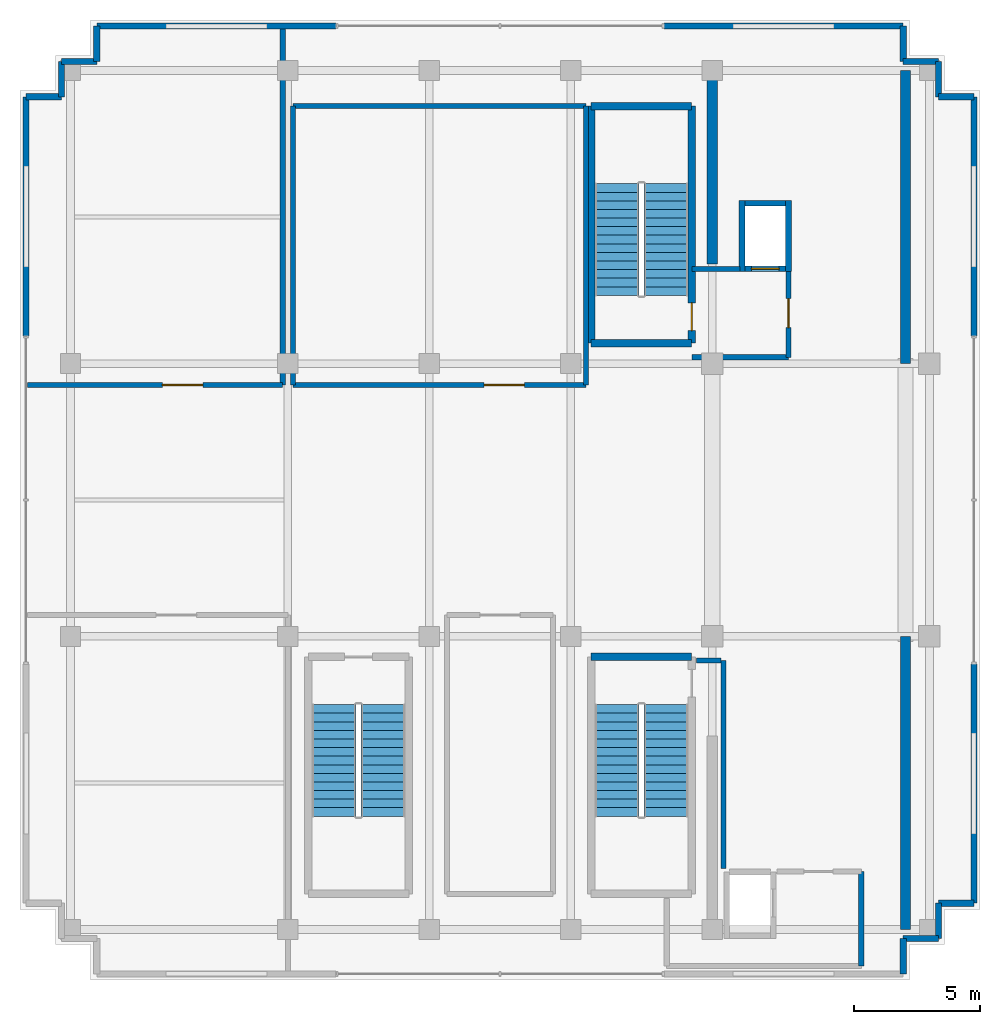
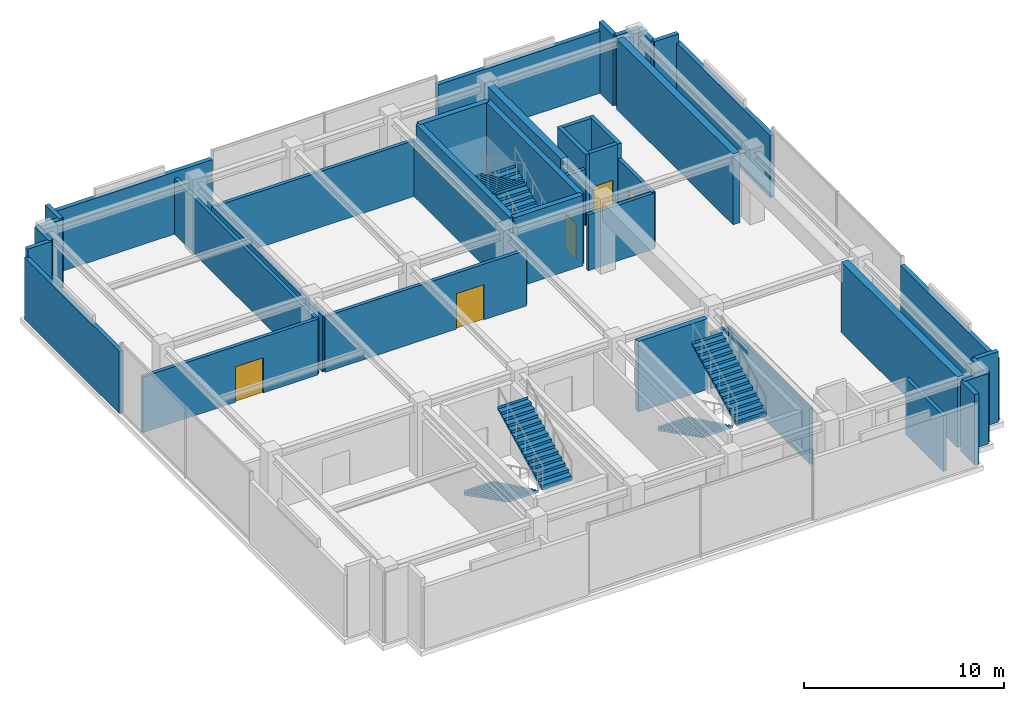
# One storey, part 15 of 18: 41 walls, 6 stair flights, 5 doors, 5 openings, 3 elements without a shape of their own.
"""IFC4 building model written with IfcOpenShell, lengths in metres."""

from ifc_helpers import new_model, si_unit, direction, frame, frame_2d, origin, place, context, subcontext, project, spatial, polyline, rectangle, outline, extrude, source, transform, mapped, material, layer, layer_set, type_object, element, fill, aggregate, save


model = new_model("IFC4")

# Units and contexts
model_context = context("Model", 3, precision=1e-05, world=origin(), true_north=direction((0.0, 1.0)))
body_context = subcontext(model_context, "Body", "Model", "MODEL_VIEW")
ifc_project = project(units=[si_unit("LENGTHUNIT", "METRE"), si_unit("AREAUNIT", "SQUARE_METRE"), si_unit("VOLUMEUNIT", "CUBIC_METRE"), si_unit("PLANEANGLEUNIT", "RADIAN"), si_unit("MASSUNIT", "GRAM", prefix="KILO")], contexts=[model_context])

# Site, building, storey
site_placement = place(None, origin())
site = spatial("IfcSite", under=ifc_project, at=site_placement, CompositionType="ELEMENT")
building_placement = place(site_placement, origin())
building = spatial("IfcBuilding", under=site, at=building_placement, Name="Nahalor Promenade Grand Hotel", CompositionType="ELEMENT")
storey_placement = place(building_placement, frame((0.0, 0.0, 361.64990234375)))
storey = spatial("IfcBuildingStorey", under=building, at=storey_placement, Name="L92", CompositionType="ELEMENT", Elevation=361.64990234375)

# Walls
ifc_material_1 = material(Name="Concrete B-50 (C40/50)", Category="concrete")
ifc_layer_1 = layer(ifc_material_1, 0.39990234375)
ifc_layer_set_1 = layer_set([ifc_layer_1], Name="Concrete B-50 (C40/50)")
wall_type_1 = type_object("IfcWallType", Name="Wall-CoreShear-400", PredefinedType="SHEAR", material=ifc_layer_set_1)
shared_shape_1 = source(origin(), body_context, "Body", "SweptSolid", [
    extrude(rectangle(XDim=7.64990234375, YDim=0.39990234375, at=frame_2d((3.824951171875, 0.0))), origin(), (0.0, 0.0, 1.0), 4.300048828125),
])
wall_1_placement = place(storey_placement, frame((8.39990234375, 9.35009765625, 0.0), z_axis=(0.0, 0.0, 1.0), x_axis=(0.0, 1.0, 0.0)))
element("IfcWall", 1, at=wall_1_placement, inside=storey, type_object=wall_type_1, Name="CWALL-L92-NW", PredefinedType="SHEAR", context=body_context, shape_type="MappedRepresentation", body=[
    mapped(shared_shape_1, transform((0.0, 0.0, 0.0), scale=1.0)),
])
shared_shape_2 = source(origin(), body_context, "Body", "SweptSolid", [
    extrude(rectangle(XDim=11.60009765625, YDim=0.39990234375, at=frame_2d((5.800048828125, 0.0))), origin(), (0.0, 0.0, 1.0), 4.300048828125),
])
for number, where, z_axis, x_axis, name in (
    (2, (16.050048828125, 5.39990234375, 0.0), (0.0, 0.0, 1.0), (0.0, 1.0, 0.0), "CWALL-L92-NE"),
    (3, (16.050048828125, -17.0, 0.0), (0.0, 0.0, 1.0), (0.0, 1.0, 0.0), "CWALL-L92-SE"),
):
    element("IfcWall", number, at=place(storey_placement, frame(where, z_axis=z_axis, x_axis=x_axis)), inside=storey, type_object=wall_type_1, Name=name, PredefinedType="SHEAR", context=body_context, shape_type="MappedRepresentation", body=[
        mapped(shared_shape_2, transform((0.0, 0.0, 0.0), scale=1.0)),
    ])
ifc_layer_2 = layer(ifc_material_1, 0.300048828125)
ifc_layer_set_2 = layer_set([ifc_layer_2], Name="Concrete B-50 (C40/50)")
wall_type_2 = type_object("IfcWallType", Name="Wall-ShaftShear-300", PredefinedType="SHEAR", material=ifc_layer_set_2)
shared_shape_3 = source(origin(), body_context, "Body", "SweptSolid", [
    extrude(rectangle(XDim=3.97998046875, YDim=0.300048828125, at=frame_2d((1.989990234375, 0.0))), origin(), (0.0, 0.0, 1.0), 4.300048828125),
])
for number, where, z_axis, x_axis, name in (
    (4, (3.610107421875, 6.2099609375, 0.0), (0.0, 0.0, 1.0), (1.0, 0.0, 0.0), "L92 Exit Stair ST1 Shaft Wall S"),
    (5, (3.610107421875, 15.590087890625, 0.0), (0.0, 0.0, 1.0), (1.0, 0.0, 0.0), "L92 Exit Stair ST1 Shaft Wall N"),
    (6, (3.610107421875, -6.2099609375, 0.0), (0.0, 0.0, 1.0), (1.0, 0.0, 0.0), "L92 Exit Stair ST2 Shaft Wall N"),
):
    element("IfcWall", number, at=place(storey_placement, frame(where, z_axis=z_axis, x_axis=x_axis)), inside=storey, type_object=wall_type_2, Name=name, PredefinedType="SHEAR", context=body_context, shape_type="MappedRepresentation", body=[
        mapped(shared_shape_3, transform((0.0, 0.0, 0.0), scale=1.0)),
    ])
shared_shape_4 = source(origin(), body_context, "Body", "SweptSolid", [
    extrude(rectangle(XDim=9.380126953125, YDim=0.300048828125, at=frame_2d((4.68994140625, 0.0))), origin(), (0.0, 0.0, 1.0), 4.300048828125),
])
wall_2_placement = place(storey_placement, frame((3.610107421875, 6.2099609375, 0.0), z_axis=(0.0, 0.0, 1.0), x_axis=(0.0, 1.0, 0.0)))
element("IfcWall", 7, at=wall_2_placement, inside=storey, type_object=wall_type_2, Name="L92 Exit Stair ST1 Shaft Wall W", PredefinedType="SHEAR", context=body_context, shape_type="MappedRepresentation", body=[
    mapped(shared_shape_4, transform((0.0, 0.0, 0.0), scale=1.0)),
])

# Wall, opening, door
wall_3_placement = place(storey_placement, frame((7.590087890625, 6.2099609375, 0.0), z_axis=(0.0, 0.0, 1.0), x_axis=(0.0, 1.0, 0.0)))
wall_3 = element("IfcWall", 8, at=wall_3_placement, inside=storey, type_object=wall_type_2, Name="L92 Exit Stair ST1 Shaft Wall E", PredefinedType="SHEAR", context=body_context, shape_type="MappedRepresentation", body=[
    mapped(shared_shape_4, transform((0.0, 0.0, 0.0), scale=1.0)),
])
opening_1_placement = place(wall_3_placement, frame((0.489990234375, 0.0, 0.0)))
opening_1 = element("IfcOpeningElement", 9, at=opening_1_placement, cuts=wall_3, Name="Opening D-ST1", PredefinedType="OPENING", context=body_context, shape_type="SweptSolid", body=[
    extrude(rectangle(XDim=1.10009765625, YDim=2.14990234375, at=frame_2d((0.550048828125, 1.074951171875))), frame((0.0, 0.159912109375, 0.0), z_axis=(0.0, -1.0, 0.0), x_axis=(1.0, 0.0, 0.0)), (0.0, 0.0, 1.0), 0.320068359375),
])
ifc_material_2 = material(Name="Steel S355JR", Category="steel")
door_type_1 = type_object("IfcDoorType", Name="Door-StairFire-1100", OperationType="NOTDEFINED", PredefinedType="DOOR", material=ifc_material_2)
shared_shape_5 = source(origin(), body_context, "Body", "SweptSolid", [
    extrude(rectangle(XDim=1.10009765625, YDim=2.14990234375, at=frame_2d((0.550048828125, 1.074951171875))), frame((0.0, 0.02490234375, 0.0), z_axis=(0.0, -1.0, 0.0), x_axis=(1.0, 0.0, 0.0)), (0.0, 0.0, 1.0), 0.050048828125),
])
door_1_placement = place(opening_1_placement, origin())
door_1 = element("IfcDoor", 10, at=door_1_placement, inside=storey, type_object=door_type_1, Name="DR-STAIR-ST1-L92", OperationType="SINGLE_SWING_LEFT", OverallHeight=2.14990234375, OverallWidth=1.10009765625, PredefinedType="DOOR", context=body_context, shape_type="MappedRepresentation", body=[
    mapped(shared_shape_5, transform((0.0, 0.0, 0.0), scale=1.0)),
])
fill(opening_1, door_1)

# Walls
ifc_layer_3 = layer(ifc_material_1, 0.219970703125)
ifc_layer_set_3 = layer_set([ifc_layer_3], Name="Concrete B-50 (C40/50)")
wall_type_3 = type_object("IfcWallType", Name="Wall-LiftShaft-220", PredefinedType="SHEAR", material=ifc_layer_set_3)
shared_shape_6 = source(origin(), body_context, "Body", "SweptSolid", [
    extrude(rectangle(XDim=2.820068359375, YDim=0.219970703125, at=frame_2d((1.41015625, 0.0))), origin(), (0.0, 0.0, 1.0), 4.300048828125),
])
for number, where, z_axis, x_axis, name in (
    (11, (9.580078125, 9.0400390625, 0.0), (0.0, 0.0, 1.0), (0.0, 1.0, 0.0), "L92 Lift FL1 Hoistway Wall W"),
    (12, (11.419921875, 9.0400390625, 0.0), (0.0, 0.0, 1.0), (0.0, 1.0, 0.0), "L92 Lift FL1 Hoistway Wall E"),
):
    element("IfcWall", number, at=place(storey_placement, frame(where, z_axis=z_axis, x_axis=x_axis)), inside=storey, type_object=wall_type_3, Name=name, PredefinedType="SHEAR", context=body_context, shape_type="MappedRepresentation", body=[
        mapped(shared_shape_6, transform((0.0, 0.0, 0.0), scale=1.0)),
    ])

# Wall, opening, door
shared_shape_7 = source(origin(), body_context, "Body", "SweptSolid", [
    extrude(rectangle(XDim=1.6201171875, YDim=0.219970703125, at=frame_2d((0.81005859375, 0.0))), origin(), (0.0, 0.0, 1.0), 4.300048828125),
])
wall_4_placement = place(storey_placement, frame((9.68994140625, 9.14990234375, 0.0), z_axis=(0.0, 0.0, 1.0), x_axis=(1.0, 0.0, 0.0)))
wall_4 = element("IfcWall", 13, at=wall_4_placement, inside=storey, type_object=wall_type_3, Name="L92 Lift FL1 Hoistway Wall S", PredefinedType="SHEAR", context=body_context, shape_type="MappedRepresentation", body=[
    mapped(shared_shape_7, transform((0.0, 0.0, 0.0), scale=1.0)),
])
opening_2_placement = place(wall_4_placement, frame((0.260009765625, 0.0, 0.0)))
opening_2 = element("IfcOpeningElement", 14, at=opening_2_placement, cuts=wall_4, Name="Opening LD-02", PredefinedType="OPENING", context=body_context, shape_type="SweptSolid", body=[
    extrude(rectangle(XDim=1.10009765625, YDim=2.199951171875, at=frame_2d((0.550048828125, 1.10009765625))), frame((0.0, 0.119873046875, 0.0), z_axis=(0.0, -1.0, 0.0), x_axis=(1.0, 0.0, 0.0)), (0.0, 0.0, 1.0), 0.239990234375),
])
door_type_2 = type_object("IfcDoorType", Name="Door-LiftFF-1100", OperationType="DOUBLE_DOOR_SLIDING", PredefinedType="DOOR", material=ifc_material_2)
shared_shape_8 = source(origin(), body_context, "Body", "SweptSolid", [
    extrude(rectangle(XDim=1.10009765625, YDim=2.199951171875, at=frame_2d((0.550048828125, 1.10009765625))), frame((0.0, 0.02490234375, 0.0), z_axis=(0.0, -1.0, 0.0), x_axis=(1.0, 0.0, 0.0)), (0.0, 0.0, 1.0), 0.050048828125),
])
door_2_placement = place(opening_2_placement, frame((1.10009765625, 0.0, 0.0), z_axis=(0.0, 0.0, 1.0), x_axis=(-1.0, 0.0, 0.0)))
door_2 = element("IfcDoor", 15, at=door_2_placement, inside=storey, type_object=door_type_2, Name="DR-LIFT-FL1-L92", OperationType="DOUBLE_DOOR_SLIDING", OverallHeight=2.199951171875, OverallWidth=1.10009765625, PredefinedType="DOOR", context=body_context, shape_type="MappedRepresentation", body=[
    mapped(shared_shape_8, transform((0.0, 0.0, 0.0), scale=1.0)),
])
fill(opening_2, door_2)

# Walls
wall_5_placement = place(storey_placement, frame((9.68994140625, 11.75, 0.0), z_axis=(0.0, 0.0, 1.0), x_axis=(1.0, 0.0, 0.0)))
element("IfcWall", 16, at=wall_5_placement, inside=storey, type_object=wall_type_3, Name="L92 Lift FL1 Hoistway Wall N", PredefinedType="SHEAR", context=body_context, shape_type="MappedRepresentation", body=[
    mapped(shared_shape_7, transform((0.0, 0.0, 0.0), scale=1.0)),
])
ifc_material_3 = material(Name="Concrete B-40 (C32/40)", Category="concrete")
ifc_layer_4 = layer(ifc_material_3, 0.25)
ifc_layer_set_4 = layer_set([ifc_layer_4], Name="Concrete B-40 (C32/40)")
wall_type_4 = type_object("IfcWallType", Name="Wall-BronzePier-250", PredefinedType="STANDARD", material=ifc_layer_set_4)
shared_shape_9 = source(origin(), body_context, "Body", "SweptSolid", [
    extrude(rectangle(XDim=1.39990234375, YDim=0.25, at=frame_2d((0.699951171875, 0.0))), origin(), (0.0, 0.0, 1.0), 4.300048828125),
])
for number, where, z_axis, x_axis, name in (
    (17, (15.9599609375, -18.760009765625, 0.0), (0.0, 0.0, 1.0), (0.0, 1.0, 0.0), "W-L92-SR-01"),
    (18, (17.360107421875, -15.9599609375, 0.0), (0.0, 0.0, 1.0), (1.0, 0.0, 0.0), "W-L92-SR-04"),
    (19, (17.360107421875, 15.9599609375, 0.0), (0.0, 0.0, 1.0), (1.0, 0.0, 0.0), "W-L92-SR-05"),
    (20, (15.9599609375, 17.360107421875, 0.0), (0.0, 0.0, 1.0), (0.0, 1.0, 0.0), "W-L92-SR-08"),
    (21, (-15.9599609375, 17.360107421875, 0.0), (0.0, 0.0, 1.0), (0.0, 1.0, 0.0), "W-L92-SR-09"),
    (22, (-18.760009765625, 15.9599609375, 0.0), (0.0, 0.0, 1.0), (1.0, 0.0, 0.0), "W-L92-SR-12"),
):
    element("IfcWall", number, at=place(storey_placement, frame(where, z_axis=z_axis, x_axis=x_axis)), inside=storey, type_object=wall_type_4, Name=name, PredefinedType="STANDARD", context=body_context, shape_type="MappedRepresentation", body=[
        mapped(shared_shape_9, transform((0.0, 0.0, 0.0), scale=1.0)),
    ])
shared_shape_10 = source(origin(), body_context, "Body", "SweptSolid", [
    extrude(rectangle(XDim=1.400146484375, YDim=0.25, at=frame_2d((0.7001953125, 0.0))), origin(), (0.0, 0.0, 1.0), 4.300048828125),
])
for number, where, z_axis, x_axis, name in (
    (23, (15.9599609375, -17.360107421875, 0.0), (0.0, 0.0, 1.0), (1.0, 0.0, 0.0), "W-L92-SR-02"),
    (24, (17.360107421875, -17.360107421875, 0.0), (0.0, 0.0, 1.0), (0.0, 1.0, 0.0), "W-L92-SR-03"),
    (25, (17.360107421875, 15.9599609375, 0.0), (0.0, 0.0, 1.0), (0.0, 1.0, 0.0), "W-L92-SR-06"),
    (26, (15.9599609375, 17.360107421875, 0.0), (0.0, 0.0, 1.0), (1.0, 0.0, 0.0), "W-L92-SR-07"),
    (27, (-17.360107421875, 17.360107421875, 0.0), (0.0, 0.0, 1.0), (1.0, 0.0, 0.0), "W-L92-SR-10"),
    (28, (-17.360107421875, 15.9599609375, 0.0), (0.0, 0.0, 1.0), (0.0, 1.0, 0.0), "W-L92-SR-11"),
):
    element("IfcWall", number, at=place(storey_placement, frame(where, z_axis=z_axis, x_axis=x_axis)), inside=storey, type_object=wall_type_4, Name=name, PredefinedType="STANDARD", context=body_context, shape_type="MappedRepresentation", body=[
        mapped(shared_shape_10, transform((0.0, 0.0, 0.0), scale=1.0)),
    ])
shared_shape_11 = source(origin(), body_context, "Body", "SweptSolid", [
    extrude(rectangle(XDim=9.4599609375, YDim=0.25, at=frame_2d((4.72998046875, 0.0))), origin(), (0.0, 0.0, 1.0), 3.780029296875),
])
for number, where, z_axis, x_axis, name in (
    (29, (-15.9599609375, 18.760009765625, 0.0), (0.0, 0.0, 1.0), (1.0, 0.0, 0.0), "W-L92-PL-NL"),
    (30, (6.5, 18.760009765625, 0.0), (0.0, 0.0, 1.0), (1.0, 0.0, 0.0), "W-L92-PL-NR"),
    (31, (-18.760009765625, 6.5, 0.0), (0.0, 0.0, 1.0), (0.0, 1.0, 0.0), "W-L92-PL-WR"),
    (32, (18.760009765625, -15.9599609375, 0.0), (0.0, 0.0, 1.0), (0.0, 1.0, 0.0), "W-L92-PL-EL"),
    (33, (18.760009765625, 6.5, 0.0), (0.0, 0.0, 1.0), (0.0, 1.0, 0.0), "W-L92-PL-ER"),
):
    element("IfcWall", number, at=place(storey_placement, frame(where, z_axis=z_axis, x_axis=x_axis)), inside=storey, type_object=wall_type_4, Name=name, PredefinedType="STANDARD", context=body_context, shape_type="MappedRepresentation", body=[
        mapped(shared_shape_11, transform((0.0, 0.0, 0.0), scale=1.0)),
    ])
ifc_layer_5 = layer(ifc_material_3, 0.199951171875)
ifc_layer_set_5 = layer_set([ifc_layer_5], Name="Concrete B-40 (C32/40)")
wall_type_5 = type_object("IfcWallType", Name="Wall-PartFire-200", PredefinedType="PARTITIONING", material=ifc_layer_set_5)
shared_shape_12 = source(origin(), body_context, "Body", "SweptSolid", [
    extrude(rectangle(XDim=3.81982421875, YDim=0.199951171875, at=frame_2d((1.909912109375, 0.0))), origin(), (0.0, 0.0, 1.0), 3.400146484375),
])
wall_6_placement = place(storey_placement, frame((7.60009765625, 5.64990234375, 0.0), z_axis=(0.0, 0.0, 1.0), x_axis=(1.0, 0.0, 0.0)))
element("IfcWall", 34, at=wall_6_placement, inside=storey, type_object=wall_type_5, Name="W-L92-FF1-S", PredefinedType="PARTITIONING", context=body_context, shape_type="MappedRepresentation", body=[
    mapped(shared_shape_12, transform((0.0, 0.0, 0.0), scale=1.0)),
])
shared_shape_13 = source(origin(), body_context, "Body", "SweptSolid", [
    extrude(rectangle(XDim=1.89990234375, YDim=0.199951171875, at=frame_2d((0.949951171875, 0.0))), origin(), (0.0, 0.0, 1.0), 3.400146484375),
])
wall_7_placement = place(storey_placement, frame((7.60009765625, 9.14990234375, 0.0), z_axis=(0.0, 0.0, 1.0), x_axis=(1.0, 0.0, 0.0)))
element("IfcWall", 35, at=wall_7_placement, inside=storey, type_object=wall_type_5, Name="W-L92-FF1-N", PredefinedType="PARTITIONING", context=body_context, shape_type="MappedRepresentation", body=[
    mapped(shared_shape_13, transform((0.0, 0.0, 0.0), scale=1.0)),
])

# Wall, opening, door
shared_shape_14 = source(origin(), body_context, "Body", "SweptSolid", [
    extrude(rectangle(XDim=3.5, YDim=0.199951171875, at=frame_2d((1.75, 0.0))), origin(), (0.0, 0.0, 1.0), 3.400146484375),
])
wall_8_placement = place(storey_placement, frame((11.419921875, 5.64990234375, 0.0), z_axis=(0.0, 0.0, 1.0), x_axis=(0.0, 1.0, 0.0)))
wall_8 = element("IfcWall", 36, at=wall_8_placement, inside=storey, type_object=wall_type_5, Name="W-L92-FF1-E", PredefinedType="PARTITIONING", context=body_context, shape_type="MappedRepresentation", body=[
    mapped(shared_shape_14, transform((0.0, 0.0, 0.0), scale=1.0)),
])
opening_3_placement = place(wall_8_placement, frame((1.175048828125, 0.0, 0.0)))
opening_3 = element("IfcOpeningElement", 37, at=opening_3_placement, cuts=wall_8, Name="Opening D-FF1", PredefinedType="OPENING", context=body_context, shape_type="SweptSolid", body=[
    extrude(rectangle(XDim=1.14990234375, YDim=2.14990234375, at=frame_2d((0.574951171875, 1.074951171875))), frame((0.0, 0.10986328125, 0.0), z_axis=(0.0, -1.0, 0.0), x_axis=(1.0, 0.0, 0.0)), (0.0, 0.0, 1.0), 0.219970703125),
])
door_type_3 = type_object("IfcDoorType", Name="Door-FFLobby-1150", OperationType="NOTDEFINED", PredefinedType="DOOR", material=ifc_material_2)
shared_shape_15 = source(origin(), body_context, "Body", "SweptSolid", [
    extrude(rectangle(XDim=1.14990234375, YDim=2.14990234375, at=frame_2d((0.574951171875, 1.074951171875))), frame((0.0, 0.02490234375, 0.0), z_axis=(0.0, -1.0, 0.0), x_axis=(1.0, 0.0, 0.0)), (0.0, 0.0, 1.0), 0.050048828125),
])
door_3_placement = place(opening_3_placement, frame((1.14990234375, 0.0, 0.0), z_axis=(0.0, 0.0, 1.0), x_axis=(-1.0, 0.0, 0.0)))
door_3 = element("IfcDoor", 38, at=door_3_placement, inside=storey, type_object=door_type_3, Name="DR-L92-FFL1", OperationType="SINGLE_SWING_LEFT", OverallHeight=2.14990234375, OverallWidth=1.14990234375, PredefinedType="DOOR", context=body_context, shape_type="MappedRepresentation", body=[
    mapped(shared_shape_15, transform((0.0, 0.0, 0.0), scale=1.0)),
])
fill(opening_3, door_3)

# Walls
shared_shape_16 = source(origin(), body_context, "Body", "SweptSolid", [
    extrude(rectangle(XDim=0.969970703125, YDim=0.199951171875, at=frame_2d((0.48486328125, 0.0))), origin(), (0.0, 0.0, 1.0), 3.400146484375),
])
wall_9_placement = place(storey_placement, frame((7.77001953125, -6.35009765625, 0.0), z_axis=(0.0, 0.0, 1.0), x_axis=(1.0, 0.0, 0.0)))
element("IfcWall", 39, at=wall_9_placement, inside=storey, type_object=wall_type_5, Name="W-L92-FF2-N2", PredefinedType="PARTITIONING", context=body_context, shape_type="MappedRepresentation", body=[
    mapped(shared_shape_16, transform((0.0, 0.0, 0.0), scale=1.0)),
])
shared_shape_17 = source(origin(), body_context, "Body", "SweptSolid", [
    extrude(rectangle(XDim=8.22998046875, YDim=0.199951171875, at=frame_2d((4.114990234375, 0.0))), origin(), (0.0, 0.0, 1.0), 3.400146484375),
])
wall_10_placement = place(storey_placement, frame((8.840087890625, -14.580078125, 0.0), z_axis=(0.0, 0.0, 1.0), x_axis=(0.0, 1.0, 0.0)))
element("IfcWall", 40, at=wall_10_placement, inside=storey, type_object=wall_type_5, Name="W-L92-FF2-M", PredefinedType="PARTITIONING", context=body_context, shape_type="MappedRepresentation", body=[
    mapped(shared_shape_17, transform((0.0, 0.0, 0.0), scale=1.0)),
])
shared_shape_18 = source(origin(), body_context, "Body", "SweptSolid", [
    extrude(rectangle(XDim=3.75, YDim=0.199951171875, at=frame_2d((1.875, 0.0))), origin(), (0.0, 0.0, 1.0), 3.400146484375),
])
wall_11_placement = place(storey_placement, frame((14.300048828125, -18.449951171875, 0.0), z_axis=(0.0, 0.0, 1.0), x_axis=(0.0, 1.0, 0.0)))
element("IfcWall", 41, at=wall_11_placement, inside=storey, type_object=wall_type_5, Name="W-L92-FF2-E", PredefinedType="PARTITIONING", context=body_context, shape_type="MappedRepresentation", body=[
    mapped(shared_shape_18, transform((0.0, 0.0, 0.0), scale=1.0)),
])

# Wall, opening, door
shared_shape_19 = source(origin(), body_context, "Body", "SweptSolid", [
    extrude(rectangle(XDim=10.099853515625, YDim=0.199951171875, at=frame_2d((5.0498046875, 0.0))), origin(), (0.0, 0.0, 1.0), 3.400146484375),
])
wall_12_placement = place(storey_placement, frame((-18.699951171875, 4.550048828125, 0.0), z_axis=(0.0, 0.0, 1.0), x_axis=(1.0, 0.0, 0.0)))
wall_12 = element("IfcWall", 42, at=wall_12_placement, inside=storey, type_object=wall_type_5, Name="W-L92-MP1-S", PredefinedType="PARTITIONING", context=body_context, shape_type="MappedRepresentation", body=[
    mapped(shared_shape_19, transform((0.0, 0.0, 0.0), scale=1.0)),
])
opening_4_placement = place(wall_12_placement, frame((5.337890625, 0.0, 0.0)))
opening_4 = element("IfcOpeningElement", 43, at=opening_4_placement, cuts=wall_12, Name="Opening D-06", PredefinedType="OPENING", context=body_context, shape_type="SweptSolid", body=[
    extrude(rectangle(XDim=1.60009765625, YDim=2.14990234375, at=frame_2d((0.800048828125, 1.074951171875))), frame((0.0, 0.10986328125, 0.0), z_axis=(0.0, -1.0, 0.0), x_axis=(1.0, 0.0, 0.0)), (0.0, 0.0, 1.0), 0.219970703125),
])
door_type_4 = type_object("IfcDoorType", Name="Door-PlantDouble-1600", OperationType="DOUBLE_DOOR_SINGLE_SWING", PredefinedType="DOOR", material=ifc_material_2)
shared_shape_20 = source(origin(), body_context, "Body", "SweptSolid", [
    extrude(rectangle(XDim=1.60009765625, YDim=2.14990234375, at=frame_2d((0.800048828125, 1.074951171875))), frame((0.0, 0.02490234375, 0.0), z_axis=(0.0, -1.0, 0.0), x_axis=(1.0, 0.0, 0.0)), (0.0, 0.0, 1.0), 0.050048828125),
])
door_4_placement = place(opening_4_placement, origin())
door_4 = element("IfcDoor", 44, at=door_4_placement, inside=storey, type_object=door_type_4, Name="DR-L92-MP1", OperationType="DOUBLE_DOOR_SINGLE_SWING", OverallHeight=2.14990234375, OverallWidth=1.60009765625, PredefinedType="DOOR", context=body_context, shape_type="MappedRepresentation", body=[
    mapped(shared_shape_20, transform((0.0, 0.0, 0.0), scale=1.0)),
])
fill(opening_4, door_4)

# Wall
shared_shape_21 = source(origin(), body_context, "Body", "SweptSolid", [
    extrude(rectangle(XDim=14.14990234375, YDim=0.199951171875, at=frame_2d((7.074951171875, 0.0))), origin(), (0.0, 0.0, 1.0), 3.400146484375),
])
wall_13_placement = place(storey_placement, frame((-8.60009765625, 4.550048828125, 0.0), z_axis=(0.0, 0.0, 1.0), x_axis=(0.0, 1.0, 0.0)))
element("IfcWall", 45, at=wall_13_placement, inside=storey, type_object=wall_type_5, Name="W-L92-MP1-E", PredefinedType="PARTITIONING", context=body_context, shape_type="MappedRepresentation", body=[
    mapped(shared_shape_21, transform((0.0, 0.0, 0.0), scale=1.0)),
])

# Wall, opening, door
shared_shape_22 = source(origin(), body_context, "Body", "SweptSolid", [
    extrude(rectangle(XDim=11.599853515625, YDim=0.199951171875, at=frame_2d((5.7998046875, 0.0))), origin(), (0.0, 0.0, 1.0), 3.400146484375),
])
wall_14_placement = place(storey_placement, frame((-8.199951171875, 4.550048828125, 0.0), z_axis=(0.0, 0.0, 1.0), x_axis=(1.0, 0.0, 0.0)))
wall_14 = element("IfcWall", 46, at=wall_14_placement, inside=storey, type_object=wall_type_5, Name="W-L92-MP2-S", PredefinedType="PARTITIONING", context=body_context, shape_type="MappedRepresentation", body=[
    mapped(shared_shape_22, transform((0.0, 0.0, 0.0), scale=1.0)),
])
opening_5_placement = place(wall_14_placement, frame((7.56689453125, 0.0, 0.0)))
opening_5 = element("IfcOpeningElement", 47, at=opening_5_placement, cuts=wall_14, Name="Opening D-06", PredefinedType="OPENING", context=body_context, shape_type="SweptSolid", body=[
    extrude(rectangle(XDim=1.60009765625, YDim=2.14990234375, at=frame_2d((0.800048828125, 1.074951171875))), frame((0.0, 0.10986328125, 0.0), z_axis=(0.0, -1.0, 0.0), x_axis=(1.0, 0.0, 0.0)), (0.0, 0.0, 1.0), 0.219970703125),
])
door_5_placement = place(opening_5_placement, origin())
door_5 = element("IfcDoor", 48, at=door_5_placement, inside=storey, type_object=door_type_4, Name="DR-L92-MP2", OperationType="DOUBLE_DOOR_SINGLE_SWING", OverallHeight=2.14990234375, OverallWidth=1.60009765625, PredefinedType="DOOR", context=body_context, shape_type="MappedRepresentation", body=[
    mapped(shared_shape_20, transform((0.0, 0.0, 0.0), scale=1.0)),
])
fill(opening_5, door_5)

# Walls
wall_15_placement = place(storey_placement, frame((-8.199951171875, 15.60009765625, 0.0), z_axis=(0.0, 0.0, 1.0), x_axis=(1.0, 0.0, 0.0)))
element("IfcWall", 49, at=wall_15_placement, inside=storey, type_object=wall_type_5, Name="W-L92-MP2-N", PredefinedType="PARTITIONING", context=body_context, shape_type="MappedRepresentation", body=[
    mapped(shared_shape_22, transform((0.0, 0.0, 0.0), scale=1.0)),
])
shared_shape_23 = source(origin(), body_context, "Body", "SweptSolid", [
    extrude(rectangle(XDim=11.050048828125, YDim=0.199951171875, at=frame_2d((5.52490234375, 0.0))), origin(), (0.0, 0.0, 1.0), 3.400146484375),
])
for number, where, z_axis, x_axis, name in (
    (50, (-8.199951171875, 4.550048828125, 0.0), (0.0, 0.0, 1.0), (0.0, 1.0, 0.0), "W-L92-MP2-W"),
    (51, (3.39990234375, 4.550048828125, 0.0), (0.0, 0.0, 1.0), (0.0, 1.0, 0.0), "W-L92-MP2-E"),
):
    element("IfcWall", number, at=place(storey_placement, frame(where, z_axis=z_axis, x_axis=x_axis)), inside=storey, type_object=wall_type_5, Name=name, PredefinedType="PARTITIONING", context=body_context, shape_type="MappedRepresentation", body=[
        mapped(shared_shape_23, transform((0.0, 0.0, 0.0), scale=1.0)),
    ])

# Stair, stair flights
stair_type_1 = type_object("IfcStairType", Name="Stair-ST1", PredefinedType="HALF_TURN_STAIR", material=ifc_material_1)
stair_1_placement = place(storey_placement, origin())
stair_1 = element("IfcStair", 52, at=stair_1_placement, inside=storey, type_object=stair_type_1, Name="L92 ST1", PredefinedType="HALF_TURN_STAIR")
ifc_layer_6 = layer(ifc_material_1, 0.179931640625)
ifc_layer_set_6 = layer_set([ifc_layer_6], Name="Concrete B-50 (C40/50)")
stair_flight_type_1 = type_object("IfcStairFlightType", Name="Flight-ST1", PredefinedType="STRAIGHT", material=ifc_layer_set_6)
shared_shape_24 = source(origin(), body_context, "Body", "SweptSolid", [
    extrude(outline(polyline([(-0.00390625, -0.1201171875), (-0.00390625, 0.0), (0.0, 0.0), (0.0, 0.164306640625), (0.340087890625, 0.164306640625), (0.340087890625, 0.32861328125), (0.679931640625, 0.32861328125), (0.679931640625, 0.492919921875), (1.02001953125, 0.492919921875), (1.02001953125, 0.6572265625), (1.360107421875, 0.6572265625), (1.360107421875, 0.821533203125), (1.699951171875, 0.821533203125), (1.699951171875, 0.985595703125), (2.0400390625, 0.985595703125), (2.0400390625, 1.14990234375), (2.3798828125, 1.14990234375), (2.3798828125, 1.314208984375), (2.719970703125, 1.314208984375), (2.719970703125, 1.478515625), (3.06005859375, 1.478515625), (3.06005859375, 1.642822265625), (3.39990234375, 1.642822265625), (3.39990234375, 1.80712890625), (3.739990234375, 1.80712890625), (3.739990234375, 1.971435546875), (4.080078125, 1.971435546875), (4.080078125, 2.1357421875), (4.419921875, 2.1357421875), (4.419921875, 2.300048828125), (4.424072265625, 2.300048828125), (4.424072265625, 2.1201171875), (0.02001953125, -0.1201171875), (-0.00390625, -0.1201171875)])), frame((0.0, 0.875, 0.0), z_axis=(0.0, -1.0, 0.0), x_axis=(1.0, 0.0, 0.0)), (0.0, 0.0, 1.0), 1.75),
])
stair_flight_1_placement = place(storey_placement, frame((6.574951171875, 8.10009765625, 0.0), z_axis=(0.0, 0.0, 1.0), x_axis=(0.0, 1.0, 0.0)))
stair_flight_1 = element("IfcStairFlight", 53, at=stair_flight_1_placement, type_object=stair_flight_type_1, Name="ST1 flight 1", NumberOfRisers=14, NumberOfTreads=13, PredefinedType="STRAIGHT", RiserHeight=0.164285714, TreadLength=0.34, context=body_context, shape_type="MappedRepresentation", body=[
    mapped(shared_shape_24, transform((0.0, 0.0, 0.0), scale=1.0)),
])
stair_flight_2_placement = place(storey_placement, frame((4.625, 12.52001953125, 2.300048828125), z_axis=(0.0, 0.0, 1.0), x_axis=(0.0, -1.0, 0.0)))
stair_flight_2 = element("IfcStairFlight", 54, at=stair_flight_2_placement, type_object=stair_flight_type_1, Name="ST1 flight 2", NumberOfRisers=14, NumberOfTreads=13, PredefinedType="STRAIGHT", RiserHeight=0.164285714, TreadLength=0.34, context=body_context, shape_type="MappedRepresentation", body=[
    mapped(shared_shape_24, transform((0.0, 0.0, 0.0), scale=1.0)),
])
aggregate(stair_1, [stair_flight_1, stair_flight_2])

stair_type_2 = type_object("IfcStairType", Name="Stair-ST2", PredefinedType="HALF_TURN_STAIR", material=ifc_material_1)
stair_2_placement = place(storey_placement, origin())
stair_2 = element("IfcStair", 55, at=stair_2_placement, inside=storey, type_object=stair_type_2, Name="L92 ST2", PredefinedType="HALF_TURN_STAIR")
ifc_layer_7 = layer(ifc_material_1, 0.18994140625)
ifc_layer_set_7 = layer_set([ifc_layer_7], Name="Concrete B-50 (C40/50)")
stair_flight_type_2 = type_object("IfcStairFlightType", Name="Flight-ST2", PredefinedType="STRAIGHT", material=ifc_layer_set_7)
shared_shape_25 = source(origin(), body_context, "Body", "SweptSolid", [
    extrude(outline(polyline([(-0.00390625, -0.1201171875), (-0.00390625, 0.0), (0.0, 0.0), (0.0, 0.164306640625), (0.340087890625, 0.164306640625), (0.340087890625, 0.32861328125), (0.679931640625, 0.32861328125), (0.679931640625, 0.492919921875), (1.02001953125, 0.492919921875), (1.02001953125, 0.6572265625), (1.360107421875, 0.6572265625), (1.360107421875, 0.821533203125), (1.699951171875, 0.821533203125), (1.699951171875, 0.985595703125), (2.0400390625, 0.985595703125), (2.0400390625, 1.14990234375), (2.3798828125, 1.14990234375), (2.3798828125, 1.314208984375), (2.719970703125, 1.314208984375), (2.719970703125, 1.478515625), (3.06005859375, 1.478515625), (3.06005859375, 1.642822265625), (3.39990234375, 1.642822265625), (3.39990234375, 1.80712890625), (3.739990234375, 1.80712890625), (3.739990234375, 1.971435546875), (4.080078125, 1.971435546875), (4.080078125, 2.1357421875), (4.419921875, 2.1357421875), (4.419921875, 2.300048828125), (4.424072265625, 2.300048828125), (4.424072265625, 2.1201171875), (0.02001953125, -0.1201171875), (-0.00390625, -0.1201171875)])), frame((0.0, 0.875, 0.0), z_axis=(0.0, -1.0, 0.0), x_axis=(1.0, 0.0, 0.0)), (0.0, 0.0, 1.0), 1.75),
])
stair_flight_3_placement = place(storey_placement, frame((4.625, -8.10009765625, 0.0), z_axis=(0.0, 0.0, 1.0), x_axis=(0.0, -1.0, 0.0)))
stair_flight_3 = element("IfcStairFlight", 56, at=stair_flight_3_placement, type_object=stair_flight_type_2, Name="ST2 flight 1", NumberOfRisers=14, NumberOfTreads=13, PredefinedType="STRAIGHT", RiserHeight=0.164285714, TreadLength=0.34, context=body_context, shape_type="MappedRepresentation", body=[
    mapped(shared_shape_25, transform((0.0, 0.0, 0.0), scale=1.0)),
])
stair_flight_4_placement = place(storey_placement, frame((6.574951171875, -12.52001953125, 2.300048828125), z_axis=(0.0, 0.0, 1.0), x_axis=(0.0, 1.0, 0.0)))
stair_flight_4 = element("IfcStairFlight", 57, at=stair_flight_4_placement, type_object=stair_flight_type_2, Name="ST2 flight 2", NumberOfRisers=14, NumberOfTreads=13, PredefinedType="STRAIGHT", RiserHeight=0.164285714, TreadLength=0.34, context=body_context, shape_type="MappedRepresentation", body=[
    mapped(shared_shape_25, transform((0.0, 0.0, 0.0), scale=1.0)),
])
aggregate(stair_2, [stair_flight_3, stair_flight_4])

stair_type_3 = type_object("IfcStairType", Name="Stair-ST3", PredefinedType="HALF_TURN_STAIR", material=ifc_material_1)
stair_3_placement = place(storey_placement, origin())
stair_3 = element("IfcStair", 58, at=stair_3_placement, inside=storey, type_object=stair_type_3, Name="L92 ST3", PredefinedType="HALF_TURN_STAIR")
ifc_layer_8 = layer(ifc_material_1, 0.199951171875)
ifc_layer_set_8 = layer_set([ifc_layer_8], Name="Concrete B-50 (C40/50)")
stair_flight_type_3 = type_object("IfcStairFlightType", Name="Flight-ST3", PredefinedType="STRAIGHT", material=ifc_layer_set_8)
shared_shape_26 = source(origin(), body_context, "Body", "SweptSolid", [
    extrude(outline(polyline([(-0.00390625, -0.1201171875), (-0.00390625, 0.0), (0.0, 0.0), (0.0, 0.164306640625), (0.340087890625, 0.164306640625), (0.340087890625, 0.32861328125), (0.679931640625, 0.32861328125), (0.679931640625, 0.492919921875), (1.02001953125, 0.492919921875), (1.02001953125, 0.6572265625), (1.360107421875, 0.6572265625), (1.360107421875, 0.821533203125), (1.699951171875, 0.821533203125), (1.699951171875, 0.985595703125), (2.0400390625, 0.985595703125), (2.0400390625, 1.14990234375), (2.3798828125, 1.14990234375), (2.3798828125, 1.314208984375), (2.719970703125, 1.314208984375), (2.719970703125, 1.478515625), (3.06005859375, 1.478515625), (3.06005859375, 1.642822265625), (3.39990234375, 1.642822265625), (3.39990234375, 1.80712890625), (3.739990234375, 1.80712890625), (3.739990234375, 1.971435546875), (4.080078125, 1.971435546875), (4.080078125, 2.1357421875), (4.419921875, 2.1357421875), (4.419921875, 2.300048828125), (4.424072265625, 2.300048828125), (4.424072265625, 2.1201171875), (0.02001953125, -0.1201171875), (-0.00390625, -0.1201171875)])), frame((0.0, 0.875, 0.0), z_axis=(0.0, -1.0, 0.0), x_axis=(1.0, 0.0, 0.0)), (0.0, 0.0, 1.0), 1.75),
])
stair_flight_5_placement = place(storey_placement, frame((-6.574951171875, -8.10009765625, 0.0), z_axis=(0.0, 0.0, 1.0), x_axis=(0.0, -1.0, 0.0)))
stair_flight_5 = element("IfcStairFlight", 59, at=stair_flight_5_placement, type_object=stair_flight_type_3, Name="ST3 flight 1", NumberOfRisers=14, NumberOfTreads=13, PredefinedType="STRAIGHT", RiserHeight=0.164285714, TreadLength=0.34, context=body_context, shape_type="MappedRepresentation", body=[
    mapped(shared_shape_26, transform((0.0, 0.0, 0.0), scale=1.0)),
])
stair_flight_6_placement = place(storey_placement, frame((-4.625, -12.52001953125, 2.300048828125), z_axis=(0.0, 0.0, 1.0), x_axis=(0.0, 1.0, 0.0)))
stair_flight_6 = element("IfcStairFlight", 60, at=stair_flight_6_placement, type_object=stair_flight_type_3, Name="ST3 flight 2", NumberOfRisers=14, NumberOfTreads=13, PredefinedType="STRAIGHT", RiserHeight=0.164285714, TreadLength=0.34, context=body_context, shape_type="MappedRepresentation", body=[
    mapped(shared_shape_26, transform((0.0, 0.0, 0.0), scale=1.0)),
])
aggregate(stair_3, [stair_flight_5, stair_flight_6])

save(model, "model.ifc")
